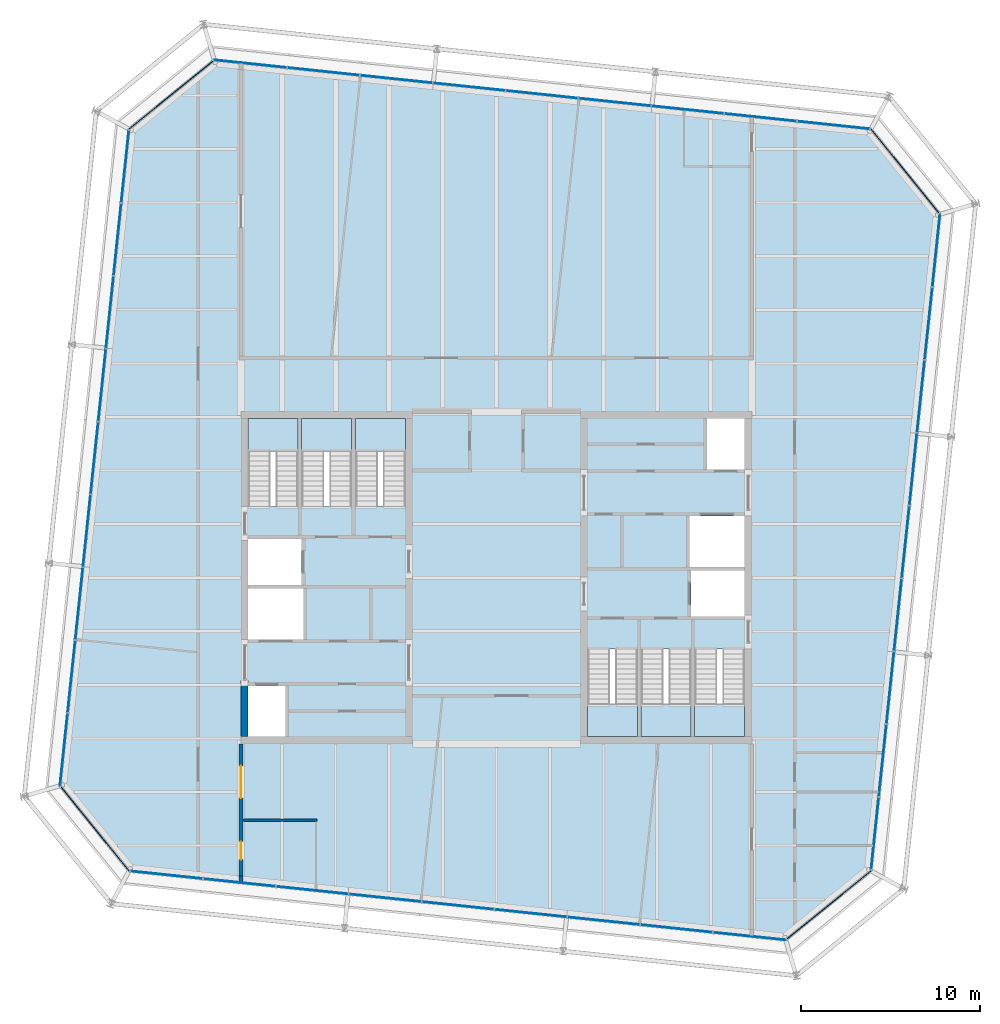
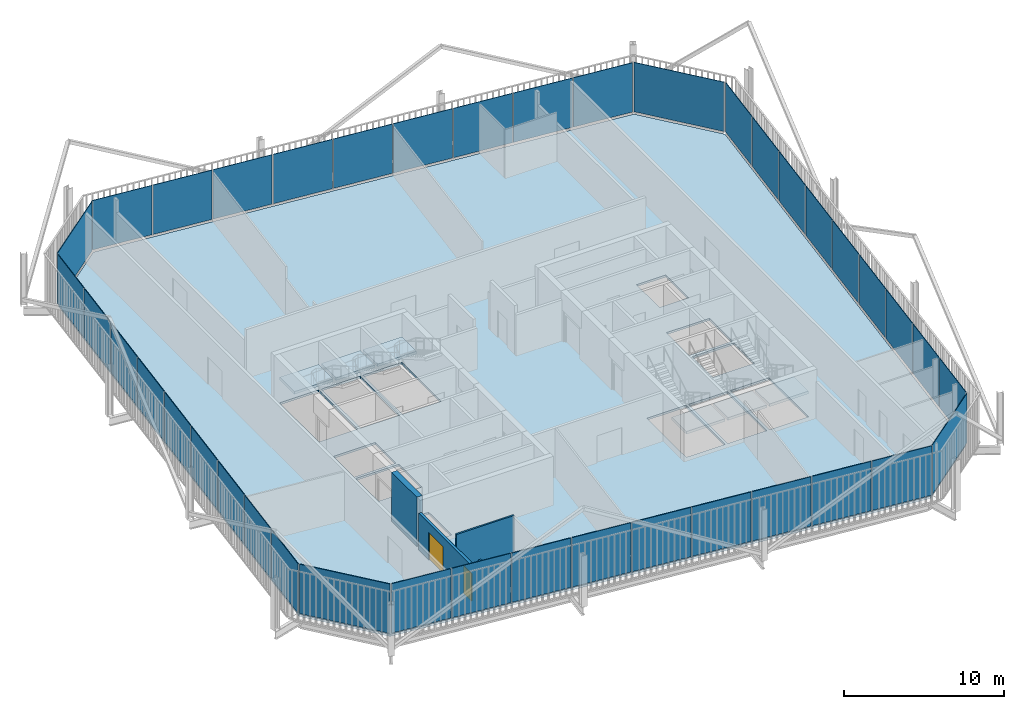
# One storey, part 16 of 21: 40 plates, 7 slabs, 4 walls, 2 doors, 2 openings, 14 elements without a shape of their own.
"""IFC4 building model written with IfcOpenShell, lengths in metres."""

from ifc_helpers import new_model, si_unit, direction, frame, frame_2d, origin, place, context, subcontext, project, spatial, polyline, rectangle, outline, extrude, material, layer, layer_set, type_object, element, fill, aggregate, save


model = new_model("IFC4")

# Units and contexts
model_context = context("Model", 3, precision=1e-05, world=origin(), true_north=direction((0.0, 1.0)))
body_context = subcontext(model_context, "Body", "Model", "MODEL_VIEW")
ifc_project = project(units=[si_unit("LENGTHUNIT", "METRE"), si_unit("AREAUNIT", "SQUARE_METRE"), si_unit("VOLUMEUNIT", "CUBIC_METRE"), si_unit("PLANEANGLEUNIT", "RADIAN"), si_unit("MASSUNIT", "GRAM", prefix="KILO")], contexts=[model_context])

# Site, building, storey
site_placement = place(None, origin())
site = spatial("IfcSite", under=ifc_project, at=site_placement, CompositionType="ELEMENT")
building_placement = place(site_placement, origin())
building = spatial("IfcBuilding", under=site, at=building_placement, Name="Millrace Tower", CompositionType="ELEMENT")
storey_placement = place(building_placement, frame((0.0, 0.0, 299.39990234375)))
storey = spatial("IfcBuildingStorey", under=building, at=storey_placement, Name="L69", CompositionType="ELEMENT", Elevation=299.39990234375)

# Curtain wall, plate
ifc_material_1 = material(Name="Aluminium and glass", Category="aluminium")
ifc_layer_1 = layer(ifc_material_1, 0.14990234375)
ifc_layer_set_1 = layer_set([ifc_layer_1], Name="Aluminium and glass")
curtain_wall_type = type_object("IfcCurtainWallType", Name="CW-1 office vision curtain wall", PredefinedType="NOTDEFINED", material=ifc_layer_set_1)
placement_1 = place(storey_placement, origin())
curtain_wall_1 = element("IfcCurtainWall", 1, at=placement_1, inside=storey, type_object=curtain_wall_type, Name="Curtain wall E-F01 L69", PredefinedType="NOTDEFINED")
ifc_material_2 = material(Name="Glass", Category="glass")
ifc_layer_2 = layer(ifc_material_2, 0.0439453125)
ifc_layer_set_2 = layer_set([ifc_layer_2], Name="Glass")
plate_type = type_object("IfcPlateType", Name="CW-1 office vision curtain wall triple-glazed vision panel", PredefinedType="CURTAIN_PANEL", material=ifc_layer_set_2)
placement_2 = place(storey_placement, frame((0.0, 0.0, 0.14013671875)))
plate_1 = element("IfcPlate", 2, at=placement_2, type_object=plate_type, Name="CW1 panel E-F01.1", PredefinedType="CURTAIN_PANEL", context=body_context, shape_type="SweptSolid", body=[
    extrude(outline(polyline([(-24.388427734375, -11.732421875), (-20.5771484375, -16.439208984375), (-20.554443359375, -16.397216796875), (-24.354248046875, -11.704833984375), (-24.388427734375, -11.732421875)])), origin(), (0.0, 0.0, 1.0), 3.760009765625),
])
aggregate(curtain_wall_1, [plate_1])

# Curtain wall, plates
curtain_wall_2 = element("IfcCurtainWall", 3, at=placement_1, inside=storey, type_object=curtain_wall_type, Name="Curtain wall E-F02 L69", PredefinedType="NOTDEFINED")
plate_2 = element("IfcPlate", 4, at=placement_2, type_object=plate_type, Name="CW1 panel E-F02.1", PredefinedType="CURTAIN_PANEL", context=body_context, shape_type="SweptSolid", body=[
    extrude(outline(polyline([(-20.472412109375, -16.4501953125), (-16.45947265625, -16.871826171875), (-16.454833984375, -16.828125), (-20.4677734375, -16.40625), (-20.472412109375, -16.4501953125)])), origin(), (0.0, 0.0, 1.0), 3.760009765625),
])
plate_3 = element("IfcPlate", 5, at=placement_2, type_object=plate_type, Name="CW1 panel E-F02.2", PredefinedType="CURTAIN_PANEL", context=body_context, shape_type="SweptSolid", body=[
    extrude(outline(polyline([(-16.39501953125, -16.878662109375), (-12.382080078125, -17.300537109375), (-12.37744140625, -17.256591796875), (-16.390380859375, -16.8349609375), (-16.39501953125, -16.878662109375)])), origin(), (0.0, 0.0, 1.0), 3.760009765625),
])
plate_4 = element("IfcPlate", 6, at=placement_2, type_object=plate_type, Name="CW1 panel E-F02.3", PredefinedType="CURTAIN_PANEL", context=body_context, shape_type="SweptSolid", body=[
    extrude(outline(polyline([(-12.3173828125, -17.30712890625), (-8.304443359375, -17.72900390625), (-8.2998046875, -17.685302734375), (-12.312744140625, -17.263427734375), (-12.3173828125, -17.30712890625)])), origin(), (0.0, 0.0, 1.0), 3.760009765625),
])
plate_5 = element("IfcPlate", 7, at=placement_2, type_object=plate_type, Name="CW1 panel E-F02.4", PredefinedType="CURTAIN_PANEL", context=body_context, shape_type="SweptSolid", body=[
    extrude(outline(polyline([(-8.23974609375, -17.73583984375), (-4.22705078125, -18.157470703125), (-4.222412109375, -18.11376953125), (-8.235107421875, -17.692138671875), (-8.23974609375, -17.73583984375)])), origin(), (0.0, 0.0, 1.0), 3.760009765625),
])
plate_6 = element("IfcPlate", 8, at=placement_2, type_object=plate_type, Name="CW1 panel E-F02.5", PredefinedType="CURTAIN_PANEL", context=body_context, shape_type="SweptSolid", body=[
    extrude(outline(polyline([(-4.162353515625, -18.164306640625), (-0.1494140625, -18.586181640625), (-0.144775390625, -18.54248046875), (-4.15771484375, -18.12060546875), (-4.162353515625, -18.164306640625)])), origin(), (0.0, 0.0, 1.0), 3.760009765625),
])
plate_7 = element("IfcPlate", 9, at=placement_2, type_object=plate_type, Name="CW1 panel E-F02.6", PredefinedType="CURTAIN_PANEL", context=body_context, shape_type="SweptSolid", body=[
    extrude(outline(polyline([(-0.084716796875, -18.593017578125), (3.92822265625, -19.0146484375), (3.932861328125, -18.970947265625), (-0.080078125, -18.549072265625), (-0.084716796875, -18.593017578125)])), origin(), (0.0, 0.0, 1.0), 3.760009765625),
])
plate_8 = element("IfcPlate", 10, at=placement_2, type_object=plate_type, Name="CW1 panel E-F02.7", PredefinedType="CURTAIN_PANEL", context=body_context, shape_type="SweptSolid", body=[
    extrude(outline(polyline([(3.99267578125, -19.021484375), (8.005615234375, -19.443359375), (8.01025390625, -19.3994140625), (3.997314453125, -18.977783203125), (3.99267578125, -19.021484375)])), origin(), (0.0, 0.0, 1.0), 3.760009765625),
])
plate_9 = element("IfcPlate", 11, at=placement_2, type_object=plate_type, Name="CW1 panel E-F02.8", PredefinedType="CURTAIN_PANEL", context=body_context, shape_type="SweptSolid", body=[
    extrude(outline(polyline([(8.0703125, -19.449951171875), (12.083251953125, -19.871826171875), (12.087890625, -19.828125), (8.074951171875, -19.40625), (8.0703125, -19.449951171875)])), origin(), (0.0, 0.0, 1.0), 3.760009765625),
])
plate_10 = element("IfcPlate", 12, at=placement_2, type_object=plate_type, Name="CW1 panel E-F02.9", PredefinedType="CURTAIN_PANEL", context=body_context, shape_type="SweptSolid", body=[
    extrude(outline(polyline([(12.14794921875, -19.878662109375), (16.20068359375, -20.3046875), (16.187255859375, -20.259033203125), (12.152587890625, -19.8349609375), (12.14794921875, -19.878662109375)])), origin(), (0.0, 0.0, 1.0), 3.760009765625),
])
aggregate(curtain_wall_2, [plate_2, plate_3, plate_4, plate_5, plate_6, plate_7, plate_8, plate_9, plate_10])

# Curtain wall, plate
curtain_wall_3 = element("IfcCurtainWall", 13, at=placement_1, inside=storey, type_object=curtain_wall_type, Name="Curtain wall E-F03 L69", PredefinedType="NOTDEFINED")
plate_11 = element("IfcPlate", 14, at=placement_2, type_object=plate_type, Name="CW1 panel E-F03.1", PredefinedType="CURTAIN_PANEL", context=body_context, shape_type="SweptSolid", body=[
    extrude(outline(polyline([(16.282470703125, -20.23828125), (20.989013671875, -16.427001953125), (20.947265625, -16.404296875), (16.2548828125, -20.2041015625), (16.282470703125, -20.23828125)])), origin(), (0.0, 0.0, 1.0), 3.760009765625),
])
aggregate(curtain_wall_3, [plate_11])

# Curtain wall, plates
curtain_wall_4 = element("IfcCurtainWall", 15, at=placement_1, inside=storey, type_object=curtain_wall_type, Name="Curtain wall E-F04 L69", PredefinedType="NOTDEFINED")
plate_12 = element("IfcPlate", 16, at=placement_2, type_object=plate_type, Name="CW1 panel E-F04.1", PredefinedType="CURTAIN_PANEL", context=body_context, shape_type="SweptSolid", body=[
    extrude(outline(polyline([(21.0, -16.322509765625), (21.421875, -12.3095703125), (21.378173828125, -12.304931640625), (20.956298828125, -16.31787109375), (21.0, -16.322509765625)])), origin(), (0.0, 0.0, 1.0), 3.760009765625),
])
plate_13 = element("IfcPlate", 17, at=placement_2, type_object=plate_type, Name="CW1 panel E-F04.2", PredefinedType="CURTAIN_PANEL", context=body_context, shape_type="SweptSolid", body=[
    extrude(outline(polyline([(21.4287109375, -12.244873046875), (21.850341796875, -8.23193359375), (21.806640625, -8.227294921875), (21.385009765625, -12.240234375), (21.4287109375, -12.244873046875)])), origin(), (0.0, 0.0, 1.0), 3.760009765625),
])
plate_14 = element("IfcPlate", 18, at=placement_2, type_object=plate_type, Name="CW1 panel E-F04.3", PredefinedType="CURTAIN_PANEL", context=body_context, shape_type="SweptSolid", body=[
    extrude(outline(polyline([(21.857177734375, -8.16748046875), (22.279052734375, -4.154541015625), (22.2353515625, -4.14990234375), (21.8134765625, -8.162841796875), (21.857177734375, -8.16748046875)])), origin(), (0.0, 0.0, 1.0), 3.760009765625),
])
plate_15 = element("IfcPlate", 19, at=placement_2, type_object=plate_type, Name="CW1 panel E-F04.4", PredefinedType="CURTAIN_PANEL", context=body_context, shape_type="SweptSolid", body=[
    extrude(outline(polyline([(22.285888671875, -4.08984375), (22.70751953125, -0.076904296875), (22.663818359375, -0.072265625), (22.241943359375, -4.085205078125), (22.285888671875, -4.08984375)])), origin(), (0.0, 0.0, 1.0), 3.760009765625),
])
plate_16 = element("IfcPlate", 20, at=placement_2, type_object=plate_type, Name="CW1 panel E-F04.5", PredefinedType="CURTAIN_PANEL", context=body_context, shape_type="SweptSolid", body=[
    extrude(outline(polyline([(22.71435546875, -0.01220703125), (23.13623046875, 4.00048828125), (23.09228515625, 4.005126953125), (22.670654296875, -0.007568359375), (22.71435546875, -0.01220703125)])), origin(), (0.0, 0.0, 1.0), 3.760009765625),
])
plate_17 = element("IfcPlate", 21, at=placement_2, type_object=plate_type, Name="CW1 panel E-F04.6", PredefinedType="CURTAIN_PANEL", context=body_context, shape_type="SweptSolid", body=[
    extrude(outline(polyline([(23.142822265625, 4.065185546875), (23.564697265625, 8.078125), (23.52099609375, 8.082763671875), (23.09912109375, 4.06982421875), (23.142822265625, 4.065185546875)])), origin(), (0.0, 0.0, 1.0), 3.760009765625),
])
plate_18 = element("IfcPlate", 22, at=placement_2, type_object=plate_type, Name="CW1 panel E-F04.7", PredefinedType="CURTAIN_PANEL", context=body_context, shape_type="SweptSolid", body=[
    extrude(outline(polyline([(23.571533203125, 8.142822265625), (23.9931640625, 12.15576171875), (23.949462890625, 12.160400390625), (23.52783203125, 8.1474609375), (23.571533203125, 8.142822265625)])), origin(), (0.0, 0.0, 1.0), 3.760009765625),
])
plate_19 = element("IfcPlate", 23, at=placement_2, type_object=plate_type, Name="CW1 panel E-F04.8", PredefinedType="CURTAIN_PANEL", context=body_context, shape_type="SweptSolid", body=[
    extrude(outline(polyline([(24.0, 12.22021484375), (24.421875, 16.233154296875), (24.378173828125, 16.23779296875), (23.956298828125, 12.224853515625), (24.0, 12.22021484375)])), origin(), (0.0, 0.0, 1.0), 3.760009765625),
])
plate_20 = element("IfcPlate", 24, at=placement_2, type_object=plate_type, Name="CW1 panel E-F04.9", PredefinedType="CURTAIN_PANEL", context=body_context, shape_type="SweptSolid", body=[
    extrude(outline(polyline([(24.4287109375, 16.2978515625), (24.8544921875, 20.350830078125), (24.808837890625, 20.337158203125), (24.384765625, 16.302490234375), (24.4287109375, 16.2978515625)])), origin(), (0.0, 0.0, 1.0), 3.760009765625),
])
aggregate(curtain_wall_4, [plate_12, plate_13, plate_14, plate_15, plate_16, plate_17, plate_18, plate_19, plate_20])

# Curtain wall, plate
curtain_wall_5 = element("IfcCurtainWall", 25, at=placement_1, inside=storey, type_object=curtain_wall_type, Name="Curtain wall E-F05 L69", PredefinedType="NOTDEFINED")
plate_21 = element("IfcPlate", 26, at=placement_2, type_object=plate_type, Name="CW1 panel E-F05.1", PredefinedType="CURTAIN_PANEL", context=body_context, shape_type="SweptSolid", body=[
    extrude(outline(polyline([(24.788330078125, 20.432373046875), (20.97705078125, 25.13916015625), (20.954345703125, 25.09716796875), (24.754150390625, 20.40478515625), (24.788330078125, 20.432373046875)])), origin(), (0.0, 0.0, 1.0), 3.760009765625),
])
aggregate(curtain_wall_5, [plate_21])

# Curtain wall, plates
curtain_wall_6 = element("IfcCurtainWall", 27, at=placement_1, inside=storey, type_object=curtain_wall_type, Name="Curtain wall E-F06 L69", PredefinedType="NOTDEFINED")
plate_22 = element("IfcPlate", 28, at=placement_2, type_object=plate_type, Name="CW1 panel E-F06.1", PredefinedType="CURTAIN_PANEL", context=body_context, shape_type="SweptSolid", body=[
    extrude(outline(polyline([(20.87255859375, 25.150146484375), (16.859619140625, 25.57177734375), (16.85498046875, 25.528076171875), (20.867919921875, 25.1064453125), (20.87255859375, 25.150146484375)])), origin(), (0.0, 0.0, 1.0), 3.760009765625),
])
plate_23 = element("IfcPlate", 29, at=placement_2, type_object=plate_type, Name="CW1 panel E-F06.2", PredefinedType="CURTAIN_PANEL", context=body_context, shape_type="SweptSolid", body=[
    extrude(outline(polyline([(16.794921875, 25.57861328125), (12.781982421875, 26.00048828125), (12.77734375, 25.956787109375), (16.790283203125, 25.534912109375), (16.794921875, 25.57861328125)])), origin(), (0.0, 0.0, 1.0), 3.760009765625),
])
plate_24 = element("IfcPlate", 30, at=placement_2, type_object=plate_type, Name="CW1 panel E-F06.3", PredefinedType="CURTAIN_PANEL", context=body_context, shape_type="SweptSolid", body=[
    extrude(outline(polyline([(12.71728515625, 26.00732421875), (8.70458984375, 26.428955078125), (8.699951171875, 26.38525390625), (12.712646484375, 25.96337890625), (12.71728515625, 26.00732421875)])), origin(), (0.0, 0.0, 1.0), 3.760009765625),
])
plate_25 = element("IfcPlate", 31, at=placement_2, type_object=plate_type, Name="CW1 panel E-F06.4", PredefinedType="CURTAIN_PANEL", context=body_context, shape_type="SweptSolid", body=[
    extrude(outline(polyline([(8.639892578125, 26.435791015625), (4.626953125, 26.857666015625), (4.622314453125, 26.813720703125), (8.63525390625, 26.39208984375), (8.639892578125, 26.435791015625)])), origin(), (0.0, 0.0, 1.0), 3.760009765625),
])
plate_26 = element("IfcPlate", 32, at=placement_2, type_object=plate_type, Name="CW1 panel E-F06.5", PredefinedType="CURTAIN_PANEL", context=body_context, shape_type="SweptSolid", body=[
    extrude(outline(polyline([(4.562255859375, 26.8642578125), (0.54931640625, 27.2861328125), (0.544677734375, 27.242431640625), (4.5576171875, 26.820556640625), (4.562255859375, 26.8642578125)])), origin(), (0.0, 0.0, 1.0), 3.760009765625),
])
plate_27 = element("IfcPlate", 33, at=placement_2, type_object=plate_type, Name="CW1 panel E-F06.6", PredefinedType="CURTAIN_PANEL", context=body_context, shape_type="SweptSolid", body=[
    extrude(outline(polyline([(0.48486328125, 27.29296875), (-3.528076171875, 27.714599609375), (-3.53271484375, 27.6708984375), (0.480224609375, 27.249267578125), (0.48486328125, 27.29296875)])), origin(), (0.0, 0.0, 1.0), 3.760009765625),
])
plate_28 = element("IfcPlate", 34, at=placement_2, type_object=plate_type, Name="CW1 panel E-F06.7", PredefinedType="CURTAIN_PANEL", context=body_context, shape_type="SweptSolid", body=[
    extrude(outline(polyline([(-3.5927734375, 27.721435546875), (-7.605712890625, 28.143310546875), (-7.6103515625, 28.099609375), (-3.597412109375, 27.677734375), (-3.5927734375, 27.721435546875)])), origin(), (0.0, 0.0, 1.0), 3.760009765625),
])
plate_29 = element("IfcPlate", 35, at=placement_2, type_object=plate_type, Name="CW1 panel E-F06.8", PredefinedType="CURTAIN_PANEL", context=body_context, shape_type="SweptSolid", body=[
    extrude(outline(polyline([(-7.67041015625, 28.150146484375), (-11.68310546875, 28.57177734375), (-11.687744140625, 28.528076171875), (-7.675048828125, 28.106201171875), (-7.67041015625, 28.150146484375)])), origin(), (0.0, 0.0, 1.0), 3.760009765625),
])
plate_30 = element("IfcPlate", 36, at=placement_2, type_object=plate_type, Name="CW1 panel E-F06.9", PredefinedType="CURTAIN_PANEL", context=body_context, shape_type="SweptSolid", body=[
    extrude(outline(polyline([(-11.747802734375, 28.57861328125), (-15.80078125, 29.004638671875), (-15.787109375, 28.958984375), (-11.75244140625, 28.534912109375), (-11.747802734375, 28.57861328125)])), origin(), (0.0, 0.0, 1.0), 3.760009765625),
])
aggregate(curtain_wall_6, [plate_22, plate_23, plate_24, plate_25, plate_26, plate_27, plate_28, plate_29, plate_30])

# Curtain wall, plate
curtain_wall_7 = element("IfcCurtainWall", 37, at=placement_1, inside=storey, type_object=curtain_wall_type, Name="Curtain wall E-F07 L69", PredefinedType="NOTDEFINED")
plate_31 = element("IfcPlate", 38, at=placement_2, type_object=plate_type, Name="CW1 panel E-F07.1", PredefinedType="CURTAIN_PANEL", context=body_context, shape_type="SweptSolid", body=[
    extrude(outline(polyline([(-15.882568359375, 28.9384765625), (-20.589111328125, 25.126953125), (-20.547119140625, 25.104248046875), (-15.854736328125, 28.904296875), (-15.882568359375, 28.9384765625)])), origin(), (0.0, 0.0, 1.0), 3.760009765625),
])
aggregate(curtain_wall_7, [plate_31])

# Curtain wall, plates
curtain_wall_8 = element("IfcCurtainWall", 39, at=placement_1, inside=storey, type_object=curtain_wall_type, Name="Curtain wall E-F08 L69", PredefinedType="NOTDEFINED")
plate_32 = element("IfcPlate", 40, at=placement_2, type_object=plate_type, Name="CW1 panel E-F08.1", PredefinedType="CURTAIN_PANEL", context=body_context, shape_type="SweptSolid", body=[
    extrude(outline(polyline([(-20.60009765625, 25.0224609375), (-21.02197265625, 21.009521484375), (-20.97802734375, 21.0048828125), (-20.556396484375, 25.017822265625), (-20.60009765625, 25.0224609375)])), origin(), (0.0, 0.0, 1.0), 3.760009765625),
])
plate_33 = element("IfcPlate", 41, at=placement_2, type_object=plate_type, Name="CW1 panel E-F08.2", PredefinedType="CURTAIN_PANEL", context=body_context, shape_type="SweptSolid", body=[
    extrude(outline(polyline([(-21.028564453125, 20.94482421875), (-21.450439453125, 16.93212890625), (-21.40673828125, 16.927490234375), (-20.98486328125, 20.9404296875), (-21.028564453125, 20.94482421875)])), origin(), (0.0, 0.0, 1.0), 3.760009765625),
])
plate_34 = element("IfcPlate", 42, at=placement_2, type_object=plate_type, Name="CW1 panel E-F08.3", PredefinedType="CURTAIN_PANEL", context=body_context, shape_type="SweptSolid", body=[
    extrude(outline(polyline([(-21.457275390625, 16.867431640625), (-21.87890625, 12.8544921875), (-21.835205078125, 12.849853515625), (-21.41357421875, 16.86279296875), (-21.457275390625, 16.867431640625)])), origin(), (0.0, 0.0, 1.0), 3.760009765625),
])
plate_35 = element("IfcPlate", 43, at=placement_2, type_object=plate_type, Name="CW1 panel E-F08.4", PredefinedType="CURTAIN_PANEL", context=body_context, shape_type="SweptSolid", body=[
    extrude(outline(polyline([(-21.8857421875, 12.789794921875), (-22.3076171875, 8.77685546875), (-22.263916015625, 8.772216796875), (-21.842041015625, 12.78515625), (-21.8857421875, 12.789794921875)])), origin(), (0.0, 0.0, 1.0), 3.760009765625),
])
plate_36 = element("IfcPlate", 44, at=placement_2, type_object=plate_type, Name="CW1 panel E-F08.5", PredefinedType="CURTAIN_PANEL", context=body_context, shape_type="SweptSolid", body=[
    extrude(outline(polyline([(-22.314453125, 8.71240234375), (-22.736083984375, 4.699462890625), (-22.6923828125, 4.69482421875), (-22.2705078125, 8.707763671875), (-22.314453125, 8.71240234375)])), origin(), (0.0, 0.0, 1.0), 3.760009765625),
])
plate_37 = element("IfcPlate", 45, at=placement_2, type_object=plate_type, Name="CW1 panel E-F08.6", PredefinedType="CURTAIN_PANEL", context=body_context, shape_type="SweptSolid", body=[
    extrude(outline(polyline([(-22.742919921875, 4.634765625), (-23.164794921875, 0.621826171875), (-23.120849609375, 0.6171875), (-22.69921875, 4.630126953125), (-22.742919921875, 4.634765625)])), origin(), (0.0, 0.0, 1.0), 3.760009765625),
])
plate_38 = element("IfcPlate", 46, at=placement_2, type_object=plate_type, Name="CW1 panel E-F08.7", PredefinedType="CURTAIN_PANEL", context=body_context, shape_type="SweptSolid", body=[
    extrude(outline(polyline([(-23.17138671875, 0.55712890625), (-23.59326171875, -3.45556640625), (-23.549560546875, -3.460205078125), (-23.127685546875, 0.552490234375), (-23.17138671875, 0.55712890625)])), origin(), (0.0, 0.0, 1.0), 3.760009765625),
])
plate_39 = element("IfcPlate", 47, at=placement_2, type_object=plate_type, Name="CW1 panel E-F08.8", PredefinedType="CURTAIN_PANEL", context=body_context, shape_type="SweptSolid", body=[
    extrude(outline(polyline([(-23.60009765625, -3.520263671875), (-24.021728515625, -7.533203125), (-23.97802734375, -7.537841796875), (-23.556396484375, -3.52490234375), (-23.60009765625, -3.520263671875)])), origin(), (0.0, 0.0, 1.0), 3.760009765625),
])
plate_40 = element("IfcPlate", 48, at=placement_2, type_object=plate_type, Name="CW1 panel E-F08.9", PredefinedType="CURTAIN_PANEL", context=body_context, shape_type="SweptSolid", body=[
    extrude(outline(polyline([(-24.028564453125, -7.597900390625), (-24.45458984375, -11.650634765625), (-24.408935546875, -11.63720703125), (-23.98486328125, -7.6025390625), (-24.028564453125, -7.597900390625)])), origin(), (0.0, 0.0, 1.0), 3.760009765625),
])
aggregate(curtain_wall_8, [plate_32, plate_33, plate_34, plate_35, plate_36, plate_37, plate_38, plate_39, plate_40])

# Slab
ifc_material_3 = material(Name="Concrete C35 on steel deck", Category="concrete")
ifc_layer_3 = layer(ifc_material_3, 0.159912109375)
ifc_layer_set_3 = layer_set([ifc_layer_3], Name="Concrete C35 on steel deck")
slab_type_1 = type_object("IfcSlabType", Name="Composite floor slab 160 mm", PredefinedType="FLOOR", material=ifc_layer_set_3)
slab_1_placement = place(storey_placement, frame((0.0, 0.0, -0.159912109375)))
element("IfcSlab", 49, at=slab_1_placement, inside=storey, type_object=slab_type_1, Name="SL-E-L69-S1", PredefinedType="FLOOR", context=body_context, shape_type="SweptSolid", body=[
    extrude(outline(polyline([(-24.35400390625, -11.620849609375), (-20.52685546875, -16.346923828125), (16.1708984375, -20.203857421875), (20.896728515625, -16.376953125), (24.75390625, 20.32080078125), (20.927001953125, 25.046875), (-15.77099609375, 28.90380859375), (-20.496826171875, 25.076904296875), (-24.35400390625, -11.620849609375)]), holes=[polyline([(-13.89990234375, -8.89990234375), (-11.800048828125, -8.89990234375), (-11.800048828125, -6.050048828125), (-13.89990234375, -6.050048828125), (-13.89990234375, -8.89990234375)]), polyline([(-13.89990234375, -3.449951171875), (-10.800048828125, -3.449951171875), (-10.800048828125, -0.60009765625), (-13.89990234375, -0.60009765625), (-13.89990234375, -3.449951171875)]), polyline([(-13.89990234375, -0.39990234375), (-10.89990234375, -0.39990234375), (-10.89990234375, 2.179931640625), (-13.89990234375, 2.179931640625), (-13.89990234375, -0.39990234375)]), polyline([(-13.89990234375, 4.0), (-11.10009765625, 4.0), (-11.10009765625, 8.89990234375), (-13.89990234375, 8.89990234375), (-13.89990234375, 4.0)]), polyline([(-10.89990234375, 4.0), (-8.10009765625, 4.0), (-8.10009765625, 8.89990234375), (-10.89990234375, 8.89990234375), (-10.89990234375, 4.0)]), polyline([(-7.89990234375, 4.0), (-5.10009765625, 4.0), (-5.10009765625, 8.89990234375), (-7.89990234375, 8.89990234375), (-7.89990234375, 4.0)]), polyline([(11.800048828125, 6.050048828125), (13.89990234375, 6.050048828125), (13.89990234375, 8.89990234375), (11.800048828125, 8.89990234375), (11.800048828125, 6.050048828125)]), polyline([(10.800048828125, 0.60009765625), (13.89990234375, 0.60009765625), (13.89990234375, 3.449951171875), (10.800048828125, 3.449951171875), (10.800048828125, 0.60009765625)]), polyline([(10.89990234375, -2.179931640625), (13.89990234375, -2.179931640625), (13.89990234375, 0.39990234375), (10.89990234375, 0.39990234375), (10.89990234375, -2.179931640625)]), polyline([(11.10009765625, -8.89990234375), (13.89990234375, -8.89990234375), (13.89990234375, -4.0), (11.10009765625, -4.0), (11.10009765625, -8.89990234375)]), polyline([(8.10009765625, -8.89990234375), (10.89990234375, -8.89990234375), (10.89990234375, -4.0), (8.10009765625, -4.0), (8.10009765625, -8.89990234375)]), polyline([(5.10009765625, -8.89990234375), (7.89990234375, -8.89990234375), (7.89990234375, -4.0), (5.10009765625, -4.0), (5.10009765625, -8.89990234375)])]), origin(), (0.0, 0.0, 1.0), 0.159912109375),
])

# Stair, slab
ifc_material_4 = material(Name="Concrete C35", Category="concrete")
stair_type = type_object("IfcStairType", Name="Exit stair", PredefinedType="HALF_TURN_STAIR", material=ifc_material_4)
stair_1 = element("IfcStair", 50, at=placement_1, inside=storey, type_object=stair_type, Name="Stair 1 W L69", PredefinedType="HALF_TURN_STAIR")
ifc_material_5 = material(Name="Concrete C40", Category="concrete")
ifc_layer_4 = layer(ifc_material_5, 0.199951171875)
ifc_layer_set_4 = layer_set([ifc_layer_4], Name="Concrete C40")
slab_type_2 = type_object("IfcSlabType", Name="Stair landing", PredefinedType="LANDING", material=ifc_layer_set_4)
placement_3 = place(storey_placement, frame((0.0, 0.0, 1.75)))
slab_2 = element("IfcSlab", 51, at=placement_3, type_object=slab_type_2, Name="ST12 landing 1", PredefinedType="LANDING", context=body_context, shape_type="SweptSolid", body=[
    extrude(outline(polyline([(-13.89990234375, 7.080078125), (-11.10009765625, 7.080078125), (-11.10009765625, 8.89990234375), (-13.89990234375, 8.89990234375), (-13.89990234375, 7.080078125)])), origin(), (0.0, 0.0, 1.0), 0.2001953125),
])
aggregate(stair_1, [slab_2])

stair_2 = element("IfcStair", 52, at=placement_1, inside=storey, type_object=stair_type, Name="Stair 2 W L69", PredefinedType="HALF_TURN_STAIR")
slab_3 = element("IfcSlab", 53, at=placement_3, type_object=slab_type_2, Name="ST12 landing 1", PredefinedType="LANDING", context=body_context, shape_type="SweptSolid", body=[
    extrude(outline(polyline([(-10.89990234375, 7.080078125), (-8.10009765625, 7.080078125), (-8.10009765625, 8.89990234375), (-10.89990234375, 8.89990234375), (-10.89990234375, 7.080078125)])), origin(), (0.0, 0.0, 1.0), 0.2001953125),
])
aggregate(stair_2, [slab_3])

stair_3 = element("IfcStair", 54, at=placement_1, inside=storey, type_object=stair_type, Name="Stair 3 W L69", PredefinedType="HALF_TURN_STAIR")
slab_4 = element("IfcSlab", 55, at=placement_3, type_object=slab_type_2, Name="ST12 landing 1", PredefinedType="LANDING", context=body_context, shape_type="SweptSolid", body=[
    extrude(outline(polyline([(-7.89990234375, 7.080078125), (-5.10009765625, 7.080078125), (-5.10009765625, 8.89990234375), (-7.89990234375, 8.89990234375), (-7.89990234375, 7.080078125)])), origin(), (0.0, 0.0, 1.0), 0.2001953125),
])
aggregate(stair_3, [slab_4])

stair_4 = element("IfcStair", 56, at=placement_1, inside=storey, type_object=stair_type, Name="Stair 1 E L69", PredefinedType="HALF_TURN_STAIR")
slab_5 = element("IfcSlab", 57, at=placement_3, type_object=slab_type_2, Name="ST12 landing 1", PredefinedType="LANDING", context=body_context, shape_type="SweptSolid", body=[
    extrude(outline(polyline([(11.10009765625, -8.89990234375), (13.89990234375, -8.89990234375), (13.89990234375, -7.080078125), (11.10009765625, -7.080078125), (11.10009765625, -8.89990234375)])), origin(), (0.0, 0.0, 1.0), 0.2001953125),
])
aggregate(stair_4, [slab_5])

stair_5 = element("IfcStair", 58, at=placement_1, inside=storey, type_object=stair_type, Name="Stair 2 E L69", PredefinedType="HALF_TURN_STAIR")
slab_6 = element("IfcSlab", 59, at=placement_3, type_object=slab_type_2, Name="ST12 landing 1", PredefinedType="LANDING", context=body_context, shape_type="SweptSolid", body=[
    extrude(outline(polyline([(8.10009765625, -8.89990234375), (10.89990234375, -8.89990234375), (10.89990234375, -7.080078125), (8.10009765625, -7.080078125), (8.10009765625, -8.89990234375)])), origin(), (0.0, 0.0, 1.0), 0.2001953125),
])
aggregate(stair_5, [slab_6])

stair_6 = element("IfcStair", 60, at=placement_1, inside=storey, type_object=stair_type, Name="Stair 3 E L69", PredefinedType="HALF_TURN_STAIR")
slab_7 = element("IfcSlab", 61, at=placement_3, type_object=slab_type_2, Name="ST12 landing 1", PredefinedType="LANDING", context=body_context, shape_type="SweptSolid", body=[
    extrude(outline(polyline([(5.10009765625, -8.89990234375), (7.89990234375, -8.89990234375), (7.89990234375, -7.080078125), (5.10009765625, -7.080078125), (5.10009765625, -8.89990234375)])), origin(), (0.0, 0.0, 1.0), 0.2001953125),
])
aggregate(stair_6, [slab_7])

# Walls
ifc_material_6 = material(Name="Concrete C60", Category="concrete")
ifc_layer_5 = layer(ifc_material_6, 0.39990234375)
ifc_layer_set_5 = layer_set([ifc_layer_5], Name="Concrete C60")
wall_type_1 = type_object("IfcWallType", Name="Core wall 400 Concrete C60", PredefinedType="SHEAR", material=ifc_layer_set_5)
wall_1_placement = place(storey_placement, frame((-14.10009765625, -8.89990234375, 0.0), z_axis=(0.0, 0.0, 1.0), x_axis=(0.0, 1.0, 0.0)))
element("IfcWall", 62, at=wall_1_placement, inside=storey, type_object=wall_type_1, Name="Core wall W L69", PredefinedType="SHEAR", context=body_context, shape_type="SweptSolid", body=[
    extrude(rectangle(XDim=3.14990234375, YDim=0.39990234375, at=frame_2d((1.574951171875, 0.0))), origin(), (0.0, 0.0, 1.0), 3.739990234375),
])
ifc_material_7 = material(Name="Masonry partition, fire-rated", Category="masonry")
ifc_layer_6 = layer(ifc_material_7, 0.199951171875)
ifc_layer_set_6 = layer_set([ifc_layer_6], Name="Masonry partition, fire-rated")
wall_type_2 = type_object("IfcWallType", Name="Corridor wall 200", PredefinedType="PARTITIONING", material=ifc_layer_set_6)
wall_2_placement = place(storey_placement, frame((-14.300048828125, -17.031494140625, 0.0), z_axis=(0.0, 0.0, 1.0), x_axis=(0.0, 1.0, 0.0)))
element("IfcWall", 63, at=wall_2_placement, inside=storey, type_object=wall_type_2, Name="Corridor wall L69", PredefinedType="PARTITIONING", context=body_context, shape_type="SweptSolid", body=[
    extrude(rectangle(XDim=0.339111328125, YDim=0.199951171875, at=frame_2d((0.16943359375, 0.0))), origin(), (0.0, 0.0, 1.0), 3.739990234375),
])

# Wall, openings, doors
wall_3_placement = place(storey_placement, frame((-14.300048828125, -16.6923828125, 0.0), z_axis=(0.0, 0.0, 1.0), x_axis=(0.0, 1.0, 0.0)))
wall_3 = element("IfcWall", 64, at=wall_3_placement, inside=storey, type_object=wall_type_2, Name="Corridor wall L69", PredefinedType="PARTITIONING", context=body_context, shape_type="SweptSolid", body=[
    extrude(rectangle(XDim=7.392333984375, YDim=0.199951171875, at=frame_2d((3.6962890625, 0.0))), origin(), (0.0, 0.0, 1.0), 2.81298828125),
])
opening_1_placement = place(wall_3_placement, frame((4.351806640625, 0.0, 0.0)))
opening_1 = element("IfcOpeningElement", 65, at=opening_1_placement, cuts=wall_3, Name="Opening 69-P010", PredefinedType="OPENING", context=body_context, shape_type="SweptSolid", body=[
    extrude(rectangle(XDim=1.800048828125, YDim=2.10009765625, at=frame_2d((0.89990234375, 1.050048828125))), frame((0.0, 0.10986328125, 0.0), z_axis=(0.0, -1.0, 0.0), x_axis=(1.0, 0.0, 0.0)), (0.0, 0.0, 1.0), 0.219970703125),
])
opening_2_placement = place(wall_3_placement, frame((0.911376953125, 0.0, 0.0)))
opening_2 = element("IfcOpeningElement", 66, at=opening_2_placement, cuts=wall_3, Name="Opening 69-P011", PredefinedType="OPENING", context=body_context, shape_type="SweptSolid", body=[
    extrude(rectangle(XDim=1.0, YDim=2.10009765625, at=frame_2d((0.5, 1.050048828125))), frame((0.0, 0.10986328125, 0.0), z_axis=(0.0, -1.0, 0.0), x_axis=(1.0, 0.0, 0.0)), (0.0, 0.0, 1.0), 0.219970703125),
])
ifc_material_8 = material(Name="Steel door set, fire-rated", Category="steel")
door_type_1 = type_object("IfcDoorType", Name="Corridor door 1000 x 2100", OperationType="SINGLE_SWING_LEFT", PredefinedType="DOOR", material=ifc_material_8)
door_1_placement = place(opening_2_placement, frame((1.0, 0.0, 0.0), z_axis=(0.0, 0.0, 1.0), x_axis=(-1.0, 0.0, 0.0)))
door_1 = element("IfcDoor", 67, at=door_1_placement, inside=storey, type_object=door_type_1, Name="Door 69-P011", OperationType="SINGLE_SWING_RIGHT", OverallHeight=2.10009765625, OverallWidth=1.0, PredefinedType="DOOR", context=body_context, shape_type="SweptSolid", body=[
    extrude(rectangle(XDim=1.0, YDim=2.10009765625, at=frame_2d((0.5, 1.050048828125))), frame((0.0, 0.02490234375, 0.0), z_axis=(0.0, -1.0, 0.0), x_axis=(1.0, 0.0, 0.0)), (0.0, 0.0, 1.0), 0.050048828125),
])
fill(opening_2, door_1)
ifc_material_9 = material(Name="Steel door set, fire-rated", Category="steel")
door_type_2 = type_object("IfcDoorType", Name="Corridor door 1800 x 2100", OperationType="DOUBLE_DOOR_SINGLE_SWING", PredefinedType="DOOR", material=ifc_material_9)
door_2_placement = place(opening_1_placement, frame((1.800048828125, 0.0, 0.0), z_axis=(0.0, 0.0, 1.0), x_axis=(-1.0, 0.0, 0.0)))
door_2 = element("IfcDoor", 68, at=door_2_placement, inside=storey, type_object=door_type_2, Name="Door 69-P010", OperationType="DOUBLE_DOOR_SINGLE_SWING", OverallHeight=2.10009765625, OverallWidth=1.800048828125, PredefinedType="DOOR", context=body_context, shape_type="SweptSolid", body=[
    extrude(rectangle(XDim=1.800048828125, YDim=2.10009765625, at=frame_2d((0.89990234375, 1.050048828125))), frame((0.0, 0.02490234375, 0.0), z_axis=(0.0, -1.0, 0.0), x_axis=(1.0, 0.0, 0.0)), (0.0, 0.0, 1.0), 0.050048828125),
])
fill(opening_1, door_2)

# Wall
ifc_material_10 = material(Name="Gypsum board partition")
ifc_layer_7 = layer(ifc_material_10, 0.1201171875)
ifc_layer_set_7 = layer_set([ifc_layer_7], Name="Gypsum board partition")
wall_type_3 = type_object("IfcWallType", Name="Partition wall 120", PredefinedType="PARTITIONING", material=ifc_layer_set_7)
wall_4_placement = place(storey_placement, frame((-14.199951171875, -13.5810546875, 0.0), z_axis=(0.0, 0.0, 1.0), x_axis=(1.0, 0.0, 0.0)))
element("IfcWall", 69, at=wall_4_placement, inside=storey, type_object=wall_type_3, Name="Partition wall L69", PredefinedType="PARTITIONING", context=body_context, shape_type="SweptSolid", body=[
    extrude(rectangle(XDim=4.159912109375, YDim=0.1201171875, at=frame_2d((2.080078125, 0.0))), origin(), (0.0, 0.0, 1.0), 3.739990234375),
])

save(model, "model.ifc")
